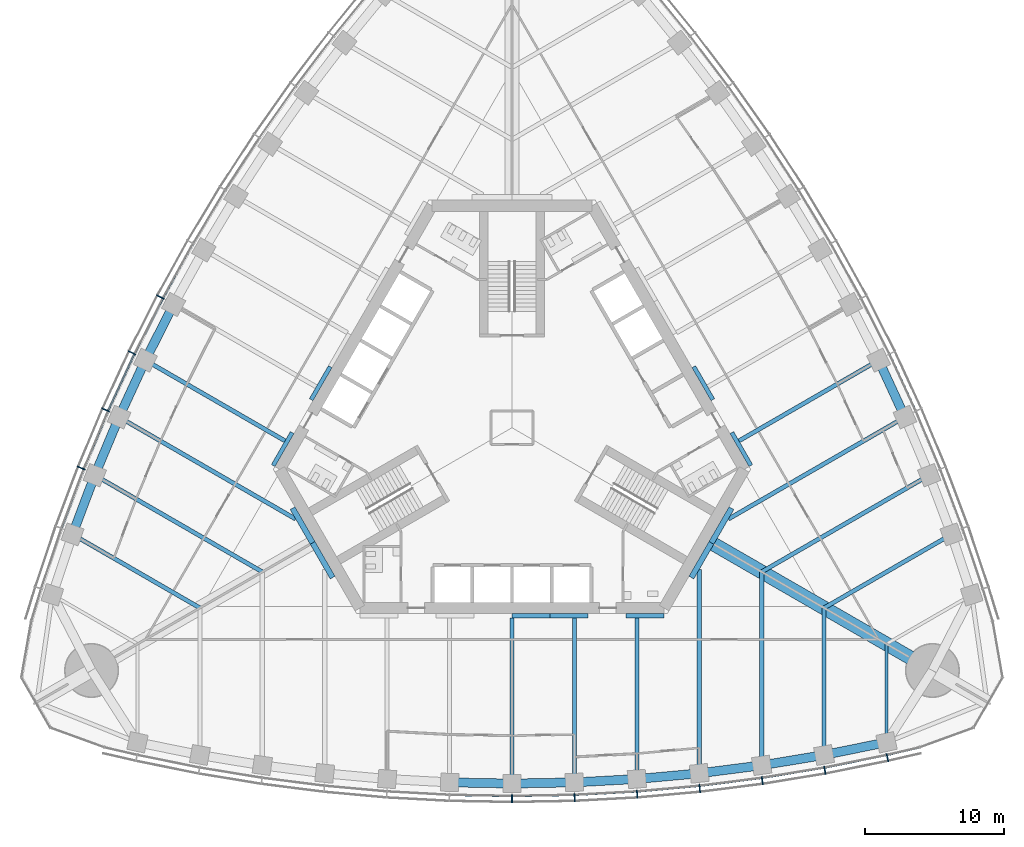
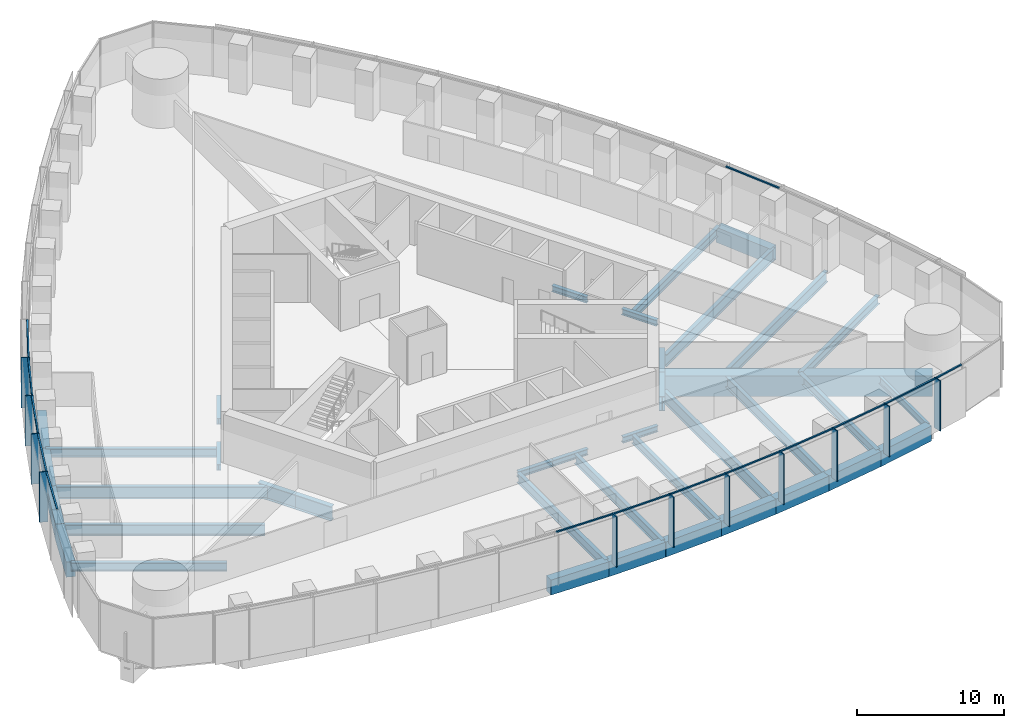
# One storey, part 3 of 19: 39 beams, 25 members, 3 elements without a shape of their own.
"""IFC4 building model written with IfcOpenShell, lengths in metres."""

from ifc_helpers import new_model, si_unit, direction, frame, origin, origin_2d, place, context, subcontext, project, spatial, rectangle, i_section, extrude, material, material_profile, profile_set, type_object, element, aggregate, save


model = new_model("IFC4")

# Units and contexts
model_context = context("Model", 3, precision=1e-05, world=origin(), true_north=direction((0.0, 1.0)))
body_context = subcontext(model_context, "Body", "Model", "MODEL_VIEW")
ifc_project = project(units=[si_unit("LENGTHUNIT", "METRE"), si_unit("AREAUNIT", "SQUARE_METRE"), si_unit("VOLUMEUNIT", "CUBIC_METRE"), si_unit("PLANEANGLEUNIT", "RADIAN"), si_unit("MASSUNIT", "GRAM", prefix="KILO")], contexts=[model_context])

# Site, building, storey
site_placement = place(None, origin())
site = spatial("IfcSite", under=ifc_project, at=site_placement, CompositionType="ELEMENT")
building_placement = place(site_placement, origin())
building = spatial("IfcBuilding", under=site, at=building_placement, Name="Trefoil Bronze Tower", CompositionType="ELEMENT")
storey_placement = place(building_placement, frame((0.0, 0.0, 119.89990234375)))
storey = spatial("IfcBuildingStorey", under=building, at=storey_placement, Name="L27", CompositionType="ELEMENT", Elevation=119.89990234375)

# Curtain wall, members
ifc_material_1 = material(Name="Tinted solar-control glass", Category="glass")
curtain_wall_type = type_object("IfcCurtainWallType", Name="Bronze office curtain wall", PredefinedType="USERDEFINED", material=ifc_material_1)
curtain_wall_1_placement = place(storey_placement, origin())
curtain_wall_1 = element("IfcCurtainWall", 1, at=curtain_wall_1_placement, inside=storey, type_object=curtain_wall_type, Name="CW-A L27 F1", ObjectType="CURTAIN WALL", PredefinedType="USERDEFINED")
ifc_material_2 = material(Name="Bronze-finish aluminium", Category="aluminium")
ifc_material_profile_1 = material_profile(ifc_material_2, rectangle(XDim=0.60009765625, YDim=0.080078125, at=origin_2d()), Name="CW-A mullion")
ifc_profile_set_1 = profile_set([ifc_material_profile_1], Name="Bronze-finish aluminium")
member_type_1 = type_object("IfcMemberType", Name="Bronze office curtain wall mullion", PredefinedType="MULLION", material=ifc_profile_set_1)
member_1_placement = place(storey_placement, frame((0.0, -26.749755859375, 0.0), z_axis=(0.0, 0.0, 1.0), x_axis=(0.0, 1.0, 0.0)))
member_1 = element("IfcMember", 2, at=member_1_placement, type_object=member_type_1, Name="CW-A L27 F1 mullion 8", PredefinedType="MULLION", context=body_context, shape_type="SweptSolid", body=[
    extrude(rectangle(XDim=0.60009765625, YDim=0.080078125, at=origin_2d()), origin(), (0.0, 0.0, 1.0), 4.18017578125),
])
member_2_placement = place(storey_placement, frame((4.5107421875, -26.66845703125, 0.0), z_axis=(0.0, 0.0, 1.0), x_axis=(-0.036047792107, 0.999350067136, 0.0)))
member_2 = element("IfcMember", 3, at=member_2_placement, type_object=member_type_1, Name="CW-A L27 F1 mullion 9", PredefinedType="MULLION", context=body_context, shape_type="SweptSolid", body=[
    extrude(rectangle(XDim=0.60009765625, YDim=0.080078125, at=origin_2d()), origin(), (0.0, 0.0, 1.0), 4.18017578125),
])
member_3_placement = place(storey_placement, frame((9.021728515625, -26.424072265625, 0.0), z_axis=(0.0, 0.0, 1.0), x_axis=(-0.072095676284, 0.997397720802, 0.0)))
member_3 = element("IfcMember", 4, at=member_3_placement, type_object=member_type_1, Name="CW-A L27 F1 mullion 10", PredefinedType="MULLION", context=body_context, shape_type="SweptSolid", body=[
    extrude(rectangle(XDim=0.60009765625, YDim=0.080078125, at=origin_2d()), origin(), (0.0, 0.0, 1.0), 4.18017578125),
])
member_4_placement = place(storey_placement, frame((13.532470703125, -26.01611328125, 0.0), z_axis=(0.0, 0.0, 1.0), x_axis=(-0.108143747013, 0.994135267447, 0.0)))
member_4 = element("IfcMember", 5, at=member_4_placement, type_object=member_type_1, Name="CW-A L27 F1 mullion 11", PredefinedType="MULLION", context=body_context, shape_type="SweptSolid", body=[
    extrude(rectangle(XDim=0.60009765625, YDim=0.080078125, at=origin_2d()), origin(), (0.0, 0.0, 1.0), 4.18017578125),
])
member_5_placement = place(storey_placement, frame((18.043212890625, -25.4423828125, 0.0), z_axis=(0.0, 0.0, 1.0), x_axis=(-0.144192103798, 0.989549714366, 0.0)))
member_5 = element("IfcMember", 6, at=member_5_placement, type_object=member_type_1, Name="CW-A L27 F1 mullion 12", PredefinedType="MULLION", context=body_context, shape_type="SweptSolid", body=[
    extrude(rectangle(XDim=0.60009765625, YDim=0.080078125, at=origin_2d()), origin(), (0.0, 0.0, 1.0), 4.18017578125),
])
member_6_placement = place(storey_placement, frame((22.553955078125, -24.700927734375, 0.0), z_axis=(0.0, 0.0, 1.0), x_axis=(-0.180240853954, 0.98362250613, 0.0)))
member_6 = element("IfcMember", 7, at=member_6_placement, type_object=member_type_1, Name="CW-A L27 F1 mullion 13", PredefinedType="MULLION", context=body_context, shape_type="SweptSolid", body=[
    extrude(rectangle(XDim=0.60009765625, YDim=0.080078125, at=origin_2d()), origin(), (0.0, 0.0, 1.0), 4.18017578125),
])
member_7_placement = place(storey_placement, frame((27.0634765625, -23.7890625, 0.0), z_axis=(0.0, 0.0, 1.0), x_axis=(-0.21197042503, 0.977276081214, 0.0)))
member_7 = element("IfcMember", 8, at=member_7_placement, type_object=member_type_1, Name="CW-A L27 F1 mullion 14", PredefinedType="MULLION", context=body_context, shape_type="SweptSolid", body=[
    extrude(rectangle(XDim=0.60009765625, YDim=0.080078125, at=origin_2d()), origin(), (0.0, 0.0, 1.0), 4.18017578125),
])

curtain_wall_2_placement = place(storey_placement, origin())
curtain_wall_2 = element("IfcCurtainWall", 9, at=curtain_wall_2_placement, inside=storey, type_object=curtain_wall_type, Name="CW-A L27 F3", ObjectType="CURTAIN WALL", PredefinedType="USERDEFINED")
member_8_placement = place(storey_placement, frame((-25.350830078125, 9.427734375, 0.0), z_axis=(0.0, 0.0, 1.0), x_axis=(0.883486441467, -0.468456729853, 0.0)))
member_8 = element("IfcMember", 10, at=member_8_placement, type_object=member_type_1, Name="CW-A L27 F3 mullion 9", PredefinedType="MULLION", context=body_context, shape_type="SweptSolid", body=[
    extrude(rectangle(XDim=0.60009765625, YDim=0.080078125, at=origin_2d()), origin(), (0.0, 0.0, 1.0), 4.18017578125),
])
member_9_placement = place(storey_placement, frame((-27.394775390625, 5.399169921875, 0.0), z_axis=(0.0, 0.0, 1.0), x_axis=(0.899819602033, -0.436262173236, 0.0)))
member_9 = element("IfcMember", 11, at=member_9_placement, type_object=member_type_1, Name="CW-A L27 F3 mullion 10", PredefinedType="MULLION", context=body_context, shape_type="SweptSolid", body=[
    extrude(rectangle(XDim=0.60009765625, YDim=0.080078125, at=origin_2d()), origin(), (0.0, 0.0, 1.0), 4.18017578125),
])
member_10_placement = place(storey_placement, frame((-29.296875, 1.28857421875, 0.0), z_axis=(0.0, 0.0, 1.0), x_axis=(0.915018269914, -0.40341240155, 0.0)))
member_10 = element("IfcMember", 12, at=member_10_placement, type_object=member_type_1, Name="CW-A L27 F3 mullion 11", PredefinedType="MULLION", context=body_context, shape_type="SweptSolid", body=[
    extrude(rectangle(XDim=0.60009765625, YDim=0.080078125, at=origin_2d()), origin(), (0.0, 0.0, 1.0), 4.18017578125),
])
member_11_placement = place(storey_placement, frame((-31.055419921875, -2.90478515625, 0.0), z_axis=(0.0, 0.0, 1.0), x_axis=(0.929071242848, -0.369900832269, 0.0)))
member_11 = element("IfcMember", 13, at=member_11_placement, type_object=member_type_1, Name="CW-A L27 F3 mullion 12", PredefinedType="MULLION", context=body_context, shape_type="SweptSolid", body=[
    extrude(rectangle(XDim=0.60009765625, YDim=0.080078125, at=origin_2d()), origin(), (0.0, 0.0, 1.0), 4.18017578125),
])

# Member
ifc_material_3 = material(Name="Bronze-finish aluminium", Category="aluminium")
ifc_material_profile_2 = material_profile(ifc_material_3, rectangle(XDim=0.1201171875, YDim=0.10009765625, at=origin_2d()), Name="CW-A transom")
ifc_profile_set_2 = profile_set([ifc_material_profile_2], Name="Bronze-finish aluminium")
member_type_2 = type_object("IfcMemberType", Name="Bronze office curtain wall transom", PredefinedType="USERDEFINED", material=ifc_profile_set_2)
member_12_placement = place(storey_placement, frame((-4.4619140625, -26.46923828125, 4.130126953125), z_axis=(0.999837930028, -0.018003157426, 0.0), x_axis=(0.018003157426, 0.999837930028, 0.0)))
member_12 = element("IfcMember", 14, at=member_12_placement, type_object=member_type_2, Name="CW-A L27 F1 transom 7", ObjectType="TRANSOM", PredefinedType="USERDEFINED", context=body_context, shape_type="SweptSolid", body=[
    extrude(rectangle(XDim=0.1201171875, YDim=0.10009765625, at=origin_2d()), origin(), (0.0, 0.0, 1.0), 4.4208984375),
])

member_13_placement = place(storey_placement, frame((0.041748046875, -26.548828125, 4.130126953125), z_axis=(0.999837930028, 0.018003157426, 0.0), x_axis=(-0.018003157426, 0.999837930028, 0.0)))
member_13 = element("IfcMember", 15, at=member_13_placement, type_object=member_type_2, Name="CW-A L27 F1 transom 8", ObjectType="TRANSOM", PredefinedType="USERDEFINED", context=body_context, shape_type="SweptSolid", body=[
    extrude(rectangle(XDim=0.1201171875, YDim=0.10009765625, at=origin_2d()), origin(), (0.0, 0.0, 1.0), 4.4208984375),
])

member_14_placement = place(storey_placement, frame((4.54541015625, -26.46630859375, 4.130126953125), z_axis=(0.998538253569, 0.054049571306, 0.0), x_axis=(-0.054049571306, 0.998538253569, 0.0)))
member_14 = element("IfcMember", 16, at=member_14_placement, type_object=member_type_2, Name="CW-A L27 F1 transom 9", ObjectType="TRANSOM", PredefinedType="USERDEFINED", context=body_context, shape_type="SweptSolid", body=[
    extrude(rectangle(XDim=0.1201171875, YDim=0.10009765625, at=origin_2d()), origin(), (0.0, 0.0, 1.0), 4.4267578125),
])

member_15_placement = place(storey_placement, frame((9.048828125, -26.220947265625, 4.130126953125), z_axis=(0.995932787062, 0.090099298863, 0.0), x_axis=(-0.090099298863, 0.995932787062, 0.0)))
member_15 = element("IfcMember", 17, at=member_15_placement, type_object=member_type_2, Name="CW-A L27 F1 transom 10", ObjectType="TRANSOM", PredefinedType="USERDEFINED", context=body_context, shape_type="SweptSolid", body=[
    extrude(rectangle(XDim=0.1201171875, YDim=0.10009765625, at=origin_2d()), origin(), (0.0, 0.0, 1.0), 4.4384765625),
])

member_16_placement = place(storey_placement, frame((13.55224609375, -25.81201171875, 4.130126953125), z_axis=(0.992008387848, 0.12617193998, 0.0), x_axis=(-0.12617193998, 0.992008387848, 0.0)))
member_16 = element("IfcMember", 18, at=member_16_placement, type_object=member_type_2, Name="CW-A L27 F1 transom 11", ObjectType="TRANSOM", PredefinedType="USERDEFINED", context=body_context, shape_type="SweptSolid", body=[
    extrude(rectangle(XDim=0.1201171875, YDim=0.10009765625, at=origin_2d()), origin(), (0.0, 0.0, 1.0), 4.456298828125),
])

member_17_placement = place(storey_placement, frame((18.0556640625, -25.23779296875, 4.130126953125), z_axis=(0.986755265284, 0.162216048636, 0.0), x_axis=(-0.162216048636, 0.986755265284, 0.0)))
member_17 = element("IfcMember", 19, at=member_17_placement, type_object=member_type_2, Name="CW-A L27 F1 transom 12", ObjectType="TRANSOM", PredefinedType="USERDEFINED", context=body_context, shape_type="SweptSolid", body=[
    extrude(rectangle(XDim=0.1201171875, YDim=0.10009765625, at=origin_2d()), origin(), (0.0, 0.0, 1.0), 4.48046875),
])

member_18_placement = place(storey_placement, frame((22.55908203125, -24.49609375, 4.130126953125), z_axis=(0.980153749225, 0.198238815273, 0.0), x_axis=(-0.198238815273, 0.980153749225, 0.0)))
member_18 = element("IfcMember", 20, at=member_18_placement, type_object=member_type_2, Name="CW-A L27 F1 transom 13", ObjectType="TRANSOM", PredefinedType="USERDEFINED", context=body_context, shape_type="SweptSolid", body=[
    extrude(rectangle(XDim=0.1201171875, YDim=0.10009765625, at=origin_2d()), origin(), (0.0, 0.0, 1.0), 4.51123046875),
])

member_19_placement = place(storey_placement, frame((27.0615234375, -23.584228515625, 4.130126953125), z_axis=(0.974206243495, 0.225659467196, 0.0), x_axis=(-0.225659467196, 0.974206243495, 0.0)))
member_19 = element("IfcMember", 21, at=member_19_placement, type_object=member_type_2, Name="CW-A L27 F1 transom 14", ObjectType="TRANSOM", PredefinedType="USERDEFINED", context=body_context, shape_type="SweptSolid", body=[
    extrude(rectangle(XDim=0.1201171875, YDim=0.10009765625, at=origin_2d()), origin(), (0.0, 0.0, 1.0), 2.340087890625),
])

aggregate(curtain_wall_1, [member_1, member_2, member_3, member_4, member_5, member_6, member_7, member_12, member_13, member_14, member_15, member_16, member_17, member_18, member_19])

# Curtain wall, member
curtain_wall_3_placement = place(storey_placement, origin())
curtain_wall_3 = element("IfcCurtainWall", 22, at=curtain_wall_3_placement, inside=storey, type_object=curtain_wall_type, Name="CW-A L27 F2", ObjectType="CURTAIN WALL", PredefinedType="USERDEFINED")
member_20_placement = place(storey_placement, frame((29.09619140625, 1.245849609375, 4.130126953125), z_axis=(-0.419923072198, 0.907559702409, 0.0), x_axis=(-0.907559702409, -0.419923072198, 0.0)))
member_20 = element("IfcMember", 23, at=member_20_placement, type_object=member_type_2, Name="CW-A L27 F2 transom 5", ObjectType="TRANSOM", PredefinedType="USERDEFINED", context=body_context, shape_type="SweptSolid", body=[
    extrude(rectangle(XDim=0.1201171875, YDim=0.10009765625, at=origin_2d()), origin(), (0.0, 0.0, 1.0), 4.4384765625),
])
aggregate(curtain_wall_3, [member_20])

# Member
member_21_placement = place(storey_placement, frame((-23.012939453125, 13.23828125, 4.130126953125), z_axis=(-0.484329470343, -0.874885686337, 0.0), x_axis=(0.874885686337, -0.484329470343, 0.0)))
member_21 = element("IfcMember", 24, at=member_21_placement, type_object=member_type_2, Name="CW-A L27 F3 transom 8", ObjectType="TRANSOM", PredefinedType="USERDEFINED", context=body_context, shape_type="SweptSolid", body=[
    extrude(rectangle(XDim=0.1201171875, YDim=0.10009765625, at=origin_2d()), origin(), (0.0, 0.0, 1.0), 4.4208984375),
])

member_22_placement = place(storey_placement, frame((-25.193115234375, 9.296630859375, 4.130126953125), z_axis=(-0.452478489814, -0.891775317138, 0.0), x_axis=(0.891775317138, -0.452478489814, 0.0)))
member_22 = element("IfcMember", 25, at=member_22_placement, type_object=member_type_2, Name="CW-A L27 F3 transom 9", ObjectType="TRANSOM", PredefinedType="USERDEFINED", context=body_context, shape_type="SweptSolid", body=[
    extrude(rectangle(XDim=0.1201171875, YDim=0.10009765625, at=origin_2d()), origin(), (0.0, 0.0, 1.0), 4.426513671875),
])

member_23_placement = place(storey_placement, frame((-27.232421875, 5.27392578125, 4.130126953125), z_axis=(-0.419923072198, -0.907559702409, 0.0), x_axis=(0.907559702409, -0.419923072198, 0.0)))
member_23 = element("IfcMember", 26, at=member_23_placement, type_object=member_type_2, Name="CW-A L27 F3 transom 10", ObjectType="TRANSOM", PredefinedType="USERDEFINED", context=body_context, shape_type="SweptSolid", body=[
    extrude(rectangle(XDim=0.1201171875, YDim=0.10009765625, at=origin_2d()), origin(), (0.0, 0.0, 1.0), 4.4384765625),
])

member_24_placement = place(storey_placement, frame((-29.1298828125, 1.16943359375, 4.130126953125), z_axis=(-0.386773266184, -0.922174842731, 0.0), x_axis=(0.922174842731, -0.386773266184, 0.0)))
member_24 = element("IfcMember", 27, at=member_24_placement, type_object=member_type_2, Name="CW-A L27 F3 transom 11", ObjectType="TRANSOM", PredefinedType="USERDEFINED", context=body_context, shape_type="SweptSolid", body=[
    extrude(rectangle(XDim=0.1201171875, YDim=0.10009765625, at=origin_2d()), origin(), (0.0, 0.0, 1.0), 4.45654296875),
])

member_25_placement = place(storey_placement, frame((-30.88427734375, -3.017822265625, 4.130126953125), z_axis=(-0.352932154759, -0.935648916067, 0.0), x_axis=(0.935648916067, -0.352932154759, 0.0)))
member_25 = element("IfcMember", 28, at=member_25_placement, type_object=member_type_2, Name="CW-A L27 F3 transom 12", ObjectType="TRANSOM", PredefinedType="USERDEFINED", context=body_context, shape_type="SweptSolid", body=[
    extrude(rectangle(XDim=0.1201171875, YDim=0.10009765625, at=origin_2d()), origin(), (0.0, 0.0, 1.0), 4.48046875),
])

aggregate(curtain_wall_2, [member_8, member_9, member_10, member_11, member_21, member_22, member_23, member_24, member_25])

# Beams
ifc_material_4 = material(Name="Steel C355", Category="steel")
ifc_material_profile_3 = material_profile(ifc_material_4, i_section(OverallWidth=0.300048828125, OverallDepth=0.5, WebThickness=0.014404296875, FlangeThickness=0.028076171875, FilletRadius=0.027099609375, at=origin_2d()), Name="HEB 500")
ifc_profile_set_3 = profile_set([ifc_material_profile_3], Name="Steel C355")
beam_type_1 = type_object("IfcBeamType", Name="Core seat beam HEB 500", PredefinedType="BEAM", material=ifc_profile_set_3)
for number, where, z_axis, x_axis, name in (
    (29, (0.0, -13.550048828125, -0.449951171875), (1.0, 0.0, 0.0), (0.0, 1.0, 0.0), "Core seat beam F1/+0 L27"),
    (30, (2.742431640625, -13.550048828125, -0.449951171875), (1.0, 0.0, 0.0), (0.0, 1.0, 0.0), "Core seat beam F1/+1 L27"),
    (31, (8.227294921875, -13.550048828125, -0.449951171875), (1.0, 0.0, 0.0), (0.0, 1.0, 0.0), "Core seat beam F1/+2 L27"),
    (32, (17.219482421875, -2.72509765625, -0.449951171875), (-0.500035825175, 0.866004719122, 0.0), (-0.866004719122, -0.500035825175, 0.0), "Core seat beam F2/-2 L27"),
    (33, (14.47705078125, 2.02490234375, -0.449951171875), (-0.499969057507, 0.866043267704, 0.0), (-0.866043267704, -0.499969057507, 0.0), "Core seat beam F2/-1 L27"),
    (34, (-13.10595703125, 4.39990234375, -0.449951171875), (-0.499969057507, -0.866043267704, 0.0), (0.866043267704, -0.499969057507, 0.0), "Core seat beam F3/+1 L27"),
    (35, (-15.84814453125, -0.35009765625, -0.449951171875), (-0.500035825175, -0.866004719122, 0.0), (0.866004719122, -0.500035825175, 0.0), "Core seat beam F3/+2 L27"),
):
    element("IfcBeam", number, at=place(storey_placement, frame(where, z_axis=z_axis, x_axis=x_axis)), inside=storey, type_object=beam_type_1, Name=name, PredefinedType="BEAM", context=body_context, shape_type="SweptSolid", body=[
        extrude(i_section(OverallWidth=0.300048828125, OverallDepth=0.5, WebThickness=0.014404296875, FlangeThickness=0.028076171875, FilletRadius=0.027099609375, at=origin_2d()), origin(), (0.0, 0.0, 1.0), 2.742431640625),
    ])
ifc_material_5 = material(Name="Steel C355", Category="steel")
ifc_material_profile_4 = material_profile(ifc_material_5, i_section(OverallWidth=0.39990234375, OverallDepth=1.199951171875, WebThickness=0.02001953125, FlangeThickness=0.0400390625, FilletRadius=0.010009765625, at=origin_2d()), Name="WPG 1200")
ifc_profile_set_4 = profile_set([ifc_material_profile_4], Name="Steel C355")
beam_type_2 = type_object("IfcBeamType", Name="Core seat beam WPG 1200", PredefinedType="BEAM", material=ifc_profile_set_4)
for number, where, z_axis, x_axis, name in (
    (36, (-14.3759765625, -8.300048828125, -0.7998046875), (0.499995765644, -0.866027848477, 0.0), (0.866027848477, 0.499995765644, 0.0), "Core seat beam F1/-3 L27"),
    (37, (12.9326171875, -10.800048828125, -0.7998046875), (0.499995765644, 0.866027848477, 0.0), (-0.866027848477, 0.499995765644, 0.0), "Core seat beam F1/+3 L27"),
    (38, (14.3759765625, -8.300048828125, -0.7998046875), (0.499995765644, 0.866027848477, 0.0), (-0.866027848477, 0.499995765644, 0.0), "Core seat beam F2/-3 L27"),
    (39, (-15.8193359375, -5.800048828125, -0.7998046875), (0.499995765644, -0.866027848477, 0.0), (0.866027848477, 0.499995765644, 0.0), "Core seat beam F3/+3 L27"),
):
    element("IfcBeam", number, at=place(storey_placement, frame(where, z_axis=z_axis, x_axis=x_axis)), inside=storey, type_object=beam_type_2, Name=name, PredefinedType="BEAM", context=body_context, shape_type="SweptSolid", body=[
        extrude(i_section(OverallWidth=0.39990234375, OverallDepth=1.199951171875, WebThickness=0.02001953125, FlangeThickness=0.0400390625, FilletRadius=0.010009765625, at=origin_2d()), origin(), (0.0, 0.0, 1.0), 2.88671875),
    ])
ifc_material_6 = material(Name="Concrete B80", Category="concrete")
ifc_material_profile_5 = material_profile(ifc_material_6, rectangle(XDim=1.0, YDim=1.699951171875, at=origin_2d()), Name="RC 1000x1700")
ifc_profile_set_5 = profile_set([ifc_material_profile_5], Name="Concrete B80")
beam_type_3 = type_object("IfcBeamType", Name="Corner girder RC 1000x1700", PredefinedType="BEAM", material=ifc_profile_set_5)
beam_1_placement = place(storey_placement, frame((14.202880859375, -8.199951171875, -1.0498046875), z_axis=(0.866022084834, -0.500005748546, 0.0), x_axis=(0.500005748546, 0.866022084834, 0.0)))
element("IfcBeam", 40, at=beam_1_placement, inside=storey, type_object=beam_type_3, Name="Corner girder K1 L27", PredefinedType="BEAM", context=body_context, shape_type="SweptSolid", body=[
    extrude(rectangle(XDim=1.0, YDim=1.699951171875, at=origin_2d()), origin(), (0.0, 0.0, 1.0), 18.599853515625),
])
ifc_material_7 = material(Name="Steel C355", Category="steel")
ifc_material_profile_6 = material_profile(ifc_material_7, i_section(OverallWidth=0.300048828125, OverallDepth=1.0, WebThickness=0.01904296875, FlangeThickness=0.035888671875, FilletRadius=0.030029296875, at=origin_2d()), Name="HEB 1000")
ifc_profile_set_6 = profile_set([ifc_material_profile_6], Name="Steel C355")
beam_type_4 = type_object("IfcBeamType", Name="Floor beam HEB 1000", PredefinedType="BEAM", material=ifc_profile_set_6)
for number, where, z_axis, x_axis, name in (
    (41, (13.5, -24.9130859375, -0.699951171875), (0.0, 1.0, 0.0), (-1.0, 0.0, 0.0), "Floor beam F1/+3 L27"),
    (42, (28.325439453125, 0.76513671875, -0.699951171875), (-0.866027342682, -0.499996641717, 0.0), (0.499996641717, -0.866027342682, 0.0), "Floor beam F2/-3 L27"),
    (43, (-28.325439453125, 0.76513671875, -0.699951171875), (0.866027342682, -0.499996641717, 0.0), (0.499996641717, 0.866027342682, 0.0), "Floor beam F3/+3 L27"),
):
    element("IfcBeam", number, at=place(storey_placement, frame(where, z_axis=z_axis, x_axis=x_axis)), inside=storey, type_object=beam_type_4, Name=name, PredefinedType="BEAM", context=body_context, shape_type="SweptSolid", body=[
        extrude(i_section(OverallWidth=0.300048828125, OverallDepth=1.0, WebThickness=0.01904296875, FlangeThickness=0.035888671875, FilletRadius=0.030029296875, at=origin_2d()), origin(), (0.0, 0.0, 1.0), 14.69580078125),
    ])
ifc_material_8 = material(Name="Steel C355", Category="steel")
ifc_material_profile_7 = material_profile(ifc_material_8, i_section(OverallWidth=0.300048828125, OverallDepth=0.699951171875, WebThickness=0.01708984375, FlangeThickness=0.031982421875, FilletRadius=0.027099609375, at=origin_2d()), Name="HEB 700")
ifc_profile_set_7 = profile_set([ifc_material_profile_7], Name="Steel C355")
beam_type_5 = type_object("IfcBeamType", Name="Floor beam HEB 700", PredefinedType="BEAM", material=ifc_profile_set_7)
beam_2_placement = place(storey_placement, frame((9.0, -25.32275390625, -0.5498046875), z_axis=(0.0, 1.0, 0.0), x_axis=(-1.0, 0.0, 0.0)))
element("IfcBeam", 44, at=beam_2_placement, inside=storey, type_object=beam_type_5, Name="Floor beam F1/+2 L27", PredefinedType="BEAM", context=body_context, shape_type="SweptSolid", body=[
    extrude(i_section(OverallWidth=0.300048828125, OverallDepth=0.699951171875, WebThickness=0.01708984375, FlangeThickness=0.031982421875, FilletRadius=0.027099609375, at=origin_2d()), origin(), (0.0, 0.0, 1.0), 11.622802734375),
])
beam_3_placement = place(storey_placement, frame((22.5, -23.592529296875, -0.5498046875), z_axis=(0.0, 1.0, 0.0), x_axis=(-1.0, 0.0, 0.0)))
element("IfcBeam", 45, at=beam_3_placement, inside=storey, type_object=beam_type_5, Name="Floor beam F1/+5 L27", PredefinedType="BEAM", context=body_context, shape_type="SweptSolid", body=[
    extrude(i_section(OverallWidth=0.300048828125, OverallDepth=0.699951171875, WebThickness=0.01708984375, FlangeThickness=0.031982421875, FilletRadius=0.027099609375, at=origin_2d()), origin(), (0.0, 0.0, 1.0), 10.60205078125),
])
beam_4_placement = place(storey_placement, frame((31.681884765625, -7.689208984375, -0.5498046875), z_axis=(-0.866021079084, -0.500007490527, 0.0), x_axis=(0.500007490527, -0.866021079084, 0.0)))
element("IfcBeam", 46, at=beam_4_placement, inside=storey, type_object=beam_type_5, Name="Floor beam F2/-5 L27", PredefinedType="BEAM", context=body_context, shape_type="SweptSolid", body=[
    extrude(i_section(OverallWidth=0.300048828125, OverallDepth=0.699951171875, WebThickness=0.01708984375, FlangeThickness=0.031982421875, FilletRadius=0.027099609375, at=origin_2d()), origin(), (0.0, 0.0, 1.0), 10.602294921875),
])
for number, where, z_axis, x_axis, name in (
    (47, (26.43017578125, 4.8671875, -0.5498046875), (-0.866021531335, -0.500006707218, 0.0), (0.500006707218, -0.866021531335, 0.0), "Floor beam F2/-2 L27"),
    (48, (-26.43017578125, 4.8671875, -0.5498046875), (0.866021531335, -0.500006707218, 0.0), (0.500006707218, 0.866021531335, 0.0), "Floor beam F3/+2 L27"),
):
    element("IfcBeam", number, at=place(storey_placement, frame(where, z_axis=z_axis, x_axis=x_axis)), inside=storey, type_object=beam_type_5, Name=name, PredefinedType="BEAM", context=body_context, shape_type="SweptSolid", body=[
        extrude(i_section(OverallWidth=0.300048828125, OverallDepth=0.699951171875, WebThickness=0.01708984375, FlangeThickness=0.031982421875, FilletRadius=0.027099609375, at=origin_2d()), origin(), (0.0, 0.0, 1.0), 11.622802734375),
    ])
beam_5_placement = place(storey_placement, frame((-31.681884765625, -7.689208984375, -0.5498046875), z_axis=(0.866021079084, -0.500007490527, 0.0), x_axis=(0.500007490527, 0.866021079084, 0.0)))
element("IfcBeam", 49, at=beam_5_placement, inside=storey, type_object=beam_type_5, Name="Floor beam F3/+5 L27", PredefinedType="BEAM", context=body_context, shape_type="SweptSolid", body=[
    extrude(i_section(OverallWidth=0.300048828125, OverallDepth=0.699951171875, WebThickness=0.01708984375, FlangeThickness=0.031982421875, FilletRadius=0.027099609375, at=origin_2d()), origin(), (0.0, 0.0, 1.0), 10.602294921875),
])
ifc_material_9 = material(Name="Steel C355", Category="steel")
ifc_material_profile_8 = material_profile(ifc_material_9, i_section(OverallWidth=0.300048828125, OverallDepth=0.800048828125, WebThickness=0.017578125, FlangeThickness=0.032958984375, FilletRadius=0.030029296875, at=origin_2d()), Name="HEB 800")
ifc_profile_set_8 = profile_set([ifc_material_profile_8], Name="Steel C355")
beam_type_6 = type_object("IfcBeamType", Name="Floor beam HEB 800", PredefinedType="BEAM", material=ifc_profile_set_8)
beam_6_placement = place(storey_placement, frame((0.0, -25.649658203125, -0.599853515625), z_axis=(0.0, 1.0, 0.0), x_axis=(-1.0, 0.0, 0.0)))
element("IfcBeam", 50, at=beam_6_placement, inside=storey, type_object=beam_type_6, Name="Floor beam F1/+0 L27", PredefinedType="BEAM", context=body_context, shape_type="SweptSolid", body=[
    extrude(i_section(OverallWidth=0.300048828125, OverallDepth=0.800048828125, WebThickness=0.017578125, FlangeThickness=0.032958984375, FilletRadius=0.030029296875, at=origin_2d()), origin(), (0.0, 0.0, 1.0), 11.94970703125),
])
beam_7_placement = place(storey_placement, frame((4.5, -25.568115234375, -0.599853515625), z_axis=(0.0, 1.0, 0.0), x_axis=(-1.0, 0.0, 0.0)))
element("IfcBeam", 51, at=beam_7_placement, inside=storey, type_object=beam_type_6, Name="Floor beam F1/+1 L27", PredefinedType="BEAM", context=body_context, shape_type="SweptSolid", body=[
    extrude(i_section(OverallWidth=0.300048828125, OverallDepth=0.800048828125, WebThickness=0.017578125, FlangeThickness=0.032958984375, FilletRadius=0.030029296875, at=origin_2d()), origin(), (0.0, 0.0, 1.0), 11.8681640625),
])
ifc_material_10 = material(Name="Steel C355", Category="steel")
ifc_material_profile_9 = material_profile(ifc_material_10, i_section(OverallWidth=0.300048828125, OverallDepth=0.89990234375, WebThickness=0.0185546875, FlangeThickness=0.034912109375, FilletRadius=0.030029296875, at=origin_2d()), Name="HEB 900")
ifc_profile_set_9 = profile_set([ifc_material_profile_9], Name="Steel C355")
beam_type_7 = type_object("IfcBeamType", Name="Floor beam HEB 900", PredefinedType="BEAM", material=ifc_profile_set_9)
for number, where, z_axis, x_axis, name in (
    (52, (18.0, -24.337158203125, -0.64990234375), (0.0, 1.0, 0.0), (-1.0, 0.0, 0.0), "Floor beam F1/+4 L27"),
    (53, (30.07666015625, -3.419921875, -0.64990234375), (-0.866026983775, -0.499997263366, 0.0), (0.499997263366, -0.866026983775, 0.0), "Floor beam F2/-4 L27"),
    (54, (-30.07666015625, -3.419921875, -0.64990234375), (0.866026983775, -0.499997263366, 0.0), (0.499997263366, 0.866026983775, 0.0), "Floor beam F3/+4 L27"),
):
    element("IfcBeam", number, at=place(storey_placement, frame(where, z_axis=z_axis, x_axis=x_axis)), inside=storey, type_object=beam_type_7, Name=name, PredefinedType="BEAM", context=body_context, shape_type="SweptSolid", body=[
        extrude(i_section(OverallWidth=0.300048828125, OverallDepth=0.89990234375, WebThickness=0.0185546875, FlangeThickness=0.034912109375, FilletRadius=0.030029296875, at=origin_2d()), origin(), (0.0, 0.0, 1.0), 13.94482421875),
    ])
ifc_material_11 = material(Name="Steel C355", Category="steel")
ifc_material_profile_10 = material_profile(ifc_material_11, i_section(OverallWidth=0.219970703125, OverallDepth=0.60009765625, WebThickness=0.011962890625, FlangeThickness=0.01904296875, FilletRadius=0.02392578125, at=origin_2d()), Name="IPE 600")
ifc_profile_set_10 = profile_set([ifc_material_profile_10], Name="Steel C355")
beam_type_8 = type_object("IfcBeamType", Name="Floor beam IPE 600", PredefinedType="BEAM", material=ifc_profile_set_10)
beam_8_placement = place(storey_placement, frame((27.0, -22.67724609375, -0.5), z_axis=(0.0, 1.0, 0.0), x_axis=(-1.0, 0.0, 0.0)))
element("IfcBeam", 55, at=beam_8_placement, inside=storey, type_object=beam_type_8, Name="Floor beam F1/+6 L27", PredefinedType="BEAM", context=body_context, shape_type="SweptSolid", body=[
    extrude(i_section(OverallWidth=0.219970703125, OverallDepth=0.60009765625, WebThickness=0.011962890625, FlangeThickness=0.01904296875, FilletRadius=0.02392578125, at=origin_2d()), origin(), (0.0, 0.0, 1.0), 7.0888671875),
])
ifc_material_12 = material(Name="Concrete B80", Category="concrete")
ifc_material_profile_11 = material_profile(ifc_material_12, rectangle(XDim=0.64990234375, YDim=1.25, at=origin_2d()), Name="RC 650x1250")
ifc_profile_set_11 = profile_set([ifc_material_profile_11], Name="Concrete B80")
beam_type_9 = type_object("IfcBeamType", Name="Spandrel beam RC 650x1250", PredefinedType="SPANDREL", material=ifc_profile_set_11)
for number, where, z_axis, x_axis, name in (
    (56, (-4.5, -25.568115234375, -0.824951171875), (0.999835861267, -0.01811768542, 0.0), (0.01811768542, 0.999835861267, 0.0), "Spandrel F1.7 L27"),
    (57, (0.0, -25.649658203125, -0.824951171875), (0.999835861267, 0.01811768542, 0.0), (-0.01811768542, 0.999835861267, 0.0), "Spandrel F1.8 L27"),
):
    element("IfcBeam", number, at=place(storey_placement, frame(where, z_axis=z_axis, x_axis=x_axis)), inside=storey, type_object=beam_type_9, Name=name, PredefinedType="SPANDREL", context=body_context, shape_type="SweptSolid", body=[
        extrude(rectangle(XDim=0.64990234375, YDim=1.25, at=origin_2d()), origin(), (0.0, 0.0, 1.0), 4.500732421875),
    ])
beam_9_placement = place(storey_placement, frame((4.5, -25.568115234375, -0.824951171875), z_axis=(0.998516832602, 0.054443870267, 0.0), x_axis=(-0.054443870267, 0.998516832602, 0.0)))
element("IfcBeam", 58, at=beam_9_placement, inside=storey, type_object=beam_type_9, Name="Spandrel F1.9 L27", PredefinedType="SPANDREL", context=body_context, shape_type="SweptSolid", body=[
    extrude(rectangle(XDim=0.64990234375, YDim=1.25, at=origin_2d()), origin(), (0.0, 0.0, 1.0), 4.506591796875),
])
beam_10_placement = place(storey_placement, frame((9.0, -25.32275390625, -0.824951171875), z_axis=(0.995881683815, 0.090662405894, 0.0), x_axis=(-0.090662405894, 0.995881683815, 0.0)))
element("IfcBeam", 59, at=beam_10_placement, inside=storey, type_object=beam_type_9, Name="Spandrel F1.10 L27", PredefinedType="SPANDREL", context=body_context, shape_type="SweptSolid", body=[
    extrude(rectangle(XDim=0.64990234375, YDim=1.25, at=origin_2d()), origin(), (0.0, 0.0, 1.0), 4.5185546875),
])
beam_11_placement = place(storey_placement, frame((13.5, -24.9130859375, -0.824951171875), z_axis=(0.991909314257, 0.126948463126, 0.0), x_axis=(-0.126948463126, 0.991909314257, 0.0)))
element("IfcBeam", 60, at=beam_11_placement, inside=storey, type_object=beam_type_9, Name="Spandrel F1.11 L27", PredefinedType="SPANDREL", context=body_context, shape_type="SweptSolid", body=[
    extrude(rectangle(XDim=0.64990234375, YDim=1.25, at=origin_2d()), origin(), (0.0, 0.0, 1.0), 4.53662109375),
])
beam_12_placement = place(storey_placement, frame((18.0, -24.337158203125, -0.824951171875), z_axis=(0.986584214684, 0.163253138823, 0.0), x_axis=(-0.163253138823, 0.986584214684, 0.0)))
element("IfcBeam", 61, at=beam_12_placement, inside=storey, type_object=beam_type_9, Name="Spandrel F1.12 L27", PredefinedType="SPANDREL", context=body_context, shape_type="SweptSolid", body=[
    extrude(rectangle(XDim=0.64990234375, YDim=1.25, at=origin_2d()), origin(), (0.0, 0.0, 1.0), 4.561279296875),
])
beam_13_placement = place(storey_placement, frame((22.5, -23.592529296875, -0.824951171875), z_axis=(0.979935430296, 0.199315208777, 0.0), x_axis=(-0.199315208777, 0.979935430296, 0.0)))
element("IfcBeam", 62, at=beam_13_placement, inside=storey, type_object=beam_type_9, Name="Spandrel F1.13 L27", PredefinedType="SPANDREL", context=body_context, shape_type="SweptSolid", body=[
    extrude(rectangle(XDim=0.64990234375, YDim=1.25, at=origin_2d()), origin(), (0.0, 0.0, 1.0), 4.592041015625),
])
beam_14_placement = place(storey_placement, frame((28.325439453125, 0.76513671875, -0.824951171875), z_axis=(-0.419424747755, 0.907790108434, 0.0), x_axis=(-0.907790108434, -0.419424747755, 0.0)))
element("IfcBeam", 63, at=beam_14_placement, inside=storey, type_object=beam_type_9, Name="Spandrel F2.5 L27", PredefinedType="SPANDREL", context=body_context, shape_type="SweptSolid", body=[
    extrude(rectangle(XDim=0.64990234375, YDim=1.25, at=origin_2d()), origin(), (0.0, 0.0, 1.0), 4.518798828125),
])
beam_15_placement = place(storey_placement, frame((-24.392578125, 8.886962890625, -0.824951171875), z_axis=(-0.452125717735, -0.891954222683, 0.0), x_axis=(0.891954222683, -0.452125717735, 0.0)))
element("IfcBeam", 64, at=beam_15_placement, inside=storey, type_object=beam_type_9, Name="Spandrel F3.9 L27", PredefinedType="SPANDREL", context=body_context, shape_type="SweptSolid", body=[
    extrude(rectangle(XDim=0.64990234375, YDim=1.25, at=origin_2d()), origin(), (0.0, 0.0, 1.0), 4.506591796875),
])
beam_16_placement = place(storey_placement, frame((-26.43017578125, 4.8671875, -0.824951171875), z_axis=(-0.419424747755, -0.907790108434, 0.0), x_axis=(0.907790108434, -0.419424747755, 0.0)))
element("IfcBeam", 65, at=beam_16_placement, inside=storey, type_object=beam_type_9, Name="Spandrel F3.10 L27", PredefinedType="SPANDREL", context=body_context, shape_type="SweptSolid", body=[
    extrude(rectangle(XDim=0.64990234375, YDim=1.25, at=origin_2d()), origin(), (0.0, 0.0, 1.0), 4.518798828125),
])
beam_17_placement = place(storey_placement, frame((-28.325439453125, 0.76513671875, -0.824951171875), z_axis=(-0.386013490858, -0.922493135408, 0.0), x_axis=(0.922493135408, -0.386013490858, 0.0)))
element("IfcBeam", 66, at=beam_17_placement, inside=storey, type_object=beam_type_9, Name="Spandrel F3.11 L27", PredefinedType="SPANDREL", context=body_context, shape_type="SweptSolid", body=[
    extrude(rectangle(XDim=0.64990234375, YDim=1.25, at=origin_2d()), origin(), (0.0, 0.0, 1.0), 4.53662109375),
])
beam_18_placement = place(storey_placement, frame((-30.07666015625, -3.419921875, -0.824951171875), z_axis=(-0.351938675523, -0.936023059904, 0.0), x_axis=(0.936023059904, -0.351938675523, 0.0)))
element("IfcBeam", 67, at=beam_18_placement, inside=storey, type_object=beam_type_9, Name="Spandrel F3.12 L27", PredefinedType="SPANDREL", context=body_context, shape_type="SweptSolid", body=[
    extrude(rectangle(XDim=0.64990234375, YDim=1.25, at=origin_2d()), origin(), (0.0, 0.0, 1.0), 4.56103515625),
])

save(model, "model.ifc")
